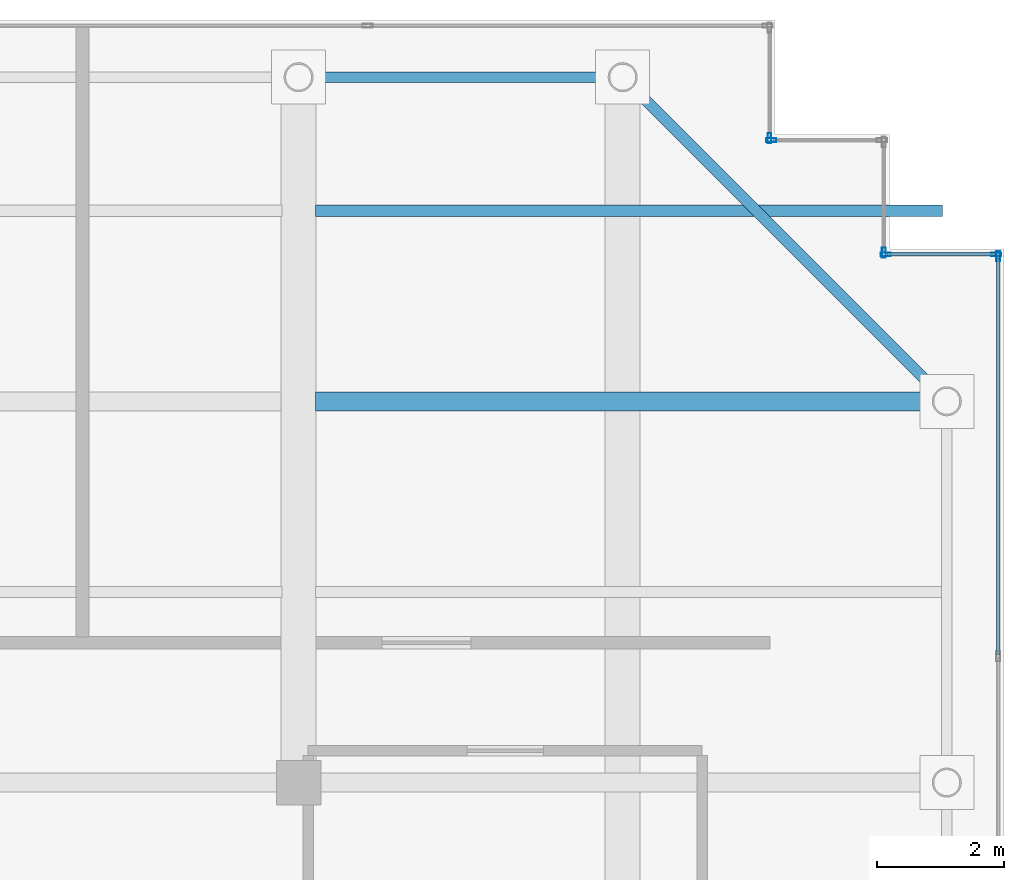
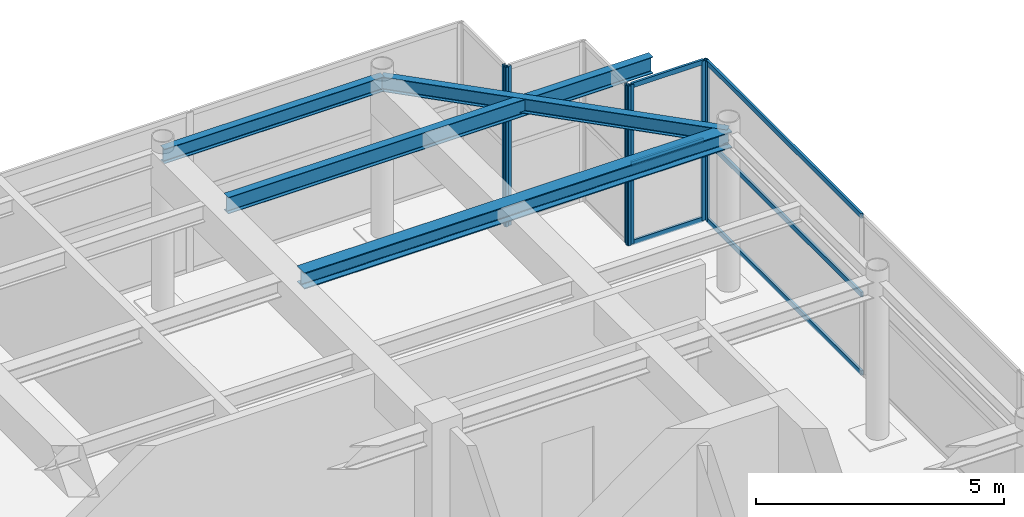
# One storey, part 26 of 32: 12 members, 4 beams, 5 elements without a shape of their own.
"""IFC4 building model written with IfcOpenShell, lengths in metres."""

from ifc_helpers import new_model, si_unit, direction, frame, origin, origin_2d, place, context, subcontext, project, spatial, hollow_rectangle, i_section, extrude, source, transform, mapped, material, layer, layer_set, material_profile, profile_set, type_object, element, aggregate, save


model = new_model("IFC4")

# Units and contexts
model_context = context("Model", 3, precision=1e-05, world=origin(), true_north=direction((0.0, 1.0)))
body_context = subcontext(model_context, "Body", "Model", "MODEL_VIEW")
ifc_project = project(units=[si_unit("LENGTHUNIT", "METRE"), si_unit("AREAUNIT", "SQUARE_METRE"), si_unit("VOLUMEUNIT", "CUBIC_METRE"), si_unit("PLANEANGLEUNIT", "RADIAN"), si_unit("MASSUNIT", "GRAM", prefix="KILO")], contexts=[model_context])

# Site, building, storey
site_placement = place(None, origin())
site = spatial("IfcSite", under=ifc_project, at=site_placement, CompositionType="ELEMENT")
building_placement = place(site_placement, origin())
building = spatial("IfcBuilding", under=site, at=building_placement, Name="Khoralis Quay Care Tower", CompositionType="ELEMENT")
storey_placement = place(building_placement, frame((0.0, 0.0, 293.699951171875)))
storey = spatial("IfcBuildingStorey", under=building, at=storey_placement, Name="L77", CompositionType="ELEMENT", Elevation=293.699951171875)

# Beams
ifc_material_1 = material(Name="Steel S355", Category="steel")
ifc_material_profile_1 = material_profile(ifc_material_1, i_section(OverallWidth=0.169921875, OverallDepth=0.360107421875, WebThickness=0.008056640625, FlangeThickness=0.0126953125, FilletRadius=0.01806640625, at=origin_2d()), Name="Steel S355")
ifc_profile_set_1 = profile_set([ifc_material_profile_1], Name="Steel S355")
beam_type_1 = type_object("IfcBeamType", Name="BM-IPE360", PredefinedType="SPANDREL", material=ifc_profile_set_1)
shared_shape_1 = source(origin(), body_context, "Body", "SweptSolid", [
    extrude(i_section(OverallWidth=0.169921875, OverallDepth=0.360107421875, WebThickness=0.008056640625, FlangeThickness=0.0126953125, FilletRadius=0.01806640625, at=origin_2d()), origin(), (0.0, 0.0, 1.0), 5.10009765625),
])
beam_1_placement = place(storey_placement, frame((30.89990234375, 41.10009765625, 3.739990234375), z_axis=(1.0, 0.0, 0.0), x_axis=(0.0, 1.0, 0.0)))
element("IfcBeam", 1, at=beam_1_placement, inside=storey, type_object=beam_type_1, Name="BM-TSP-L77-08", PredefinedType="SPANDREL", context=body_context, shape_type="MappedRepresentation", body=[
    mapped(shared_shape_1, transform((0.0, 0.0, 0.0), scale=1.0)),
])
shared_shape_2 = source(origin(), body_context, "Body", "SweptSolid", [
    extrude(i_section(OverallWidth=0.169921875, OverallDepth=0.360107421875, WebThickness=0.008056640625, FlangeThickness=0.0126953125, FilletRadius=0.01806640625, at=origin_2d()), origin(), (0.0, 0.0, 1.0), 7.212646484375),
])
beam_2_placement = place(storey_placement, frame((36.0, 41.10009765625, 3.739990234375), z_axis=(0.707106781187, -0.707106781187, 0.0), x_axis=(0.707106781187, 0.707106781187, 0.0)))
element("IfcBeam", 2, at=beam_2_placement, inside=storey, type_object=beam_type_1, Name="BM-TCR-L77-20", PredefinedType="SPANDREL", context=body_context, shape_type="MappedRepresentation", body=[
    mapped(shared_shape_2, transform((0.0, 0.0, 0.0), scale=1.0)),
])
ifc_material_profile_2 = material_profile(ifc_material_1, i_section(OverallWidth=0.300048828125, OverallDepth=0.39990234375, WebThickness=0.013427734375, FlangeThickness=0.02392578125, FilletRadius=0.027099609375, at=origin_2d()), Name="Steel S355")
ifc_profile_set_2 = profile_set([ifc_material_profile_2], Name="Steel S355")
beam_type_2 = type_object("IfcBeamType", Name="BM-HEB400", PredefinedType="BEAM", material=ifc_profile_set_2)
shared_shape_3 = source(origin(), body_context, "Body", "SweptSolid", [
    extrude(i_section(OverallWidth=0.300048828125, OverallDepth=0.39990234375, WebThickness=0.013427734375, FlangeThickness=0.02392578125, FilletRadius=0.027099609375, at=origin_2d()), origin(), (0.0, 0.0, 1.0), 9.93701171875),
])
beam_3_placement = place(storey_placement, frame((31.1630859375, 36.0, 3.719970703125), z_axis=(1.0, 0.0, 0.0), x_axis=(0.0, 1.0, 0.0)))
element("IfcBeam", 3, at=beam_3_placement, inside=storey, type_object=beam_type_2, Name="BM-TGXE-L77-360", PredefinedType="BEAM", context=body_context, shape_type="MappedRepresentation", body=[
    mapped(shared_shape_3, transform((0.0, 0.0, 0.0), scale=1.0)),
])
ifc_material_profile_3 = material_profile(ifc_material_1, i_section(OverallWidth=0.177978515625, OverallDepth=0.406982421875, WebThickness=0.0078125, FlangeThickness=0.0126953125, FilletRadius=0.012939453125, at=origin_2d()), Name="Steel S355")
ifc_profile_set_3 = profile_set([ifc_material_profile_3], Name="Steel S355")
beam_type_3 = type_object("IfcBeamType", Name="BM-W410X60", PredefinedType="JOIST", material=ifc_profile_set_3)
shared_shape_4 = source(origin(), body_context, "Body", "SweptSolid", [
    extrude(i_section(OverallWidth=0.177978515625, OverallDepth=0.406982421875, WebThickness=0.0078125, FlangeThickness=0.0126953125, FilletRadius=0.012939453125, at=origin_2d()), origin(), (0.0, 0.0, 1.0), 9.865966796875),
])
beam_4_placement = place(storey_placement, frame((31.1630859375, 39.0, 3.716552734375), z_axis=(1.0, 0.0, 0.0), x_axis=(0.0, 1.0, 0.0)))
element("IfcBeam", 4, at=beam_4_placement, inside=storey, type_object=beam_type_3, Name="BM-TJS-L77-28", PredefinedType="JOIST", context=body_context, shape_type="MappedRepresentation", body=[
    mapped(shared_shape_4, transform((0.0, 0.0, 0.0), scale=1.0)),
])

# Curtain wall, member
ifc_material_2 = material(Name="Pale anodised aluminium", Category="aluminium")
ifc_layer = layer(ifc_material_2, 0.199951171875)
ifc_layer_set = layer_set([ifc_layer], Name="Pale anodised aluminium")
curtain_wall_type = type_object("IfcCurtainWallType", Name="CW-SYS-LANTERN", PredefinedType="NOTDEFINED", material=ifc_layer_set)
curtain_wall_1_placement = place(storey_placement, origin())
curtain_wall_1 = element("IfcCurtainWall", 5, at=curtain_wall_1_placement, inside=storey, type_object=curtain_wall_type, Name="L77 Unitised Curtain Wall CW-LN-L77-06", PredefinedType="NOTDEFINED")
ifc_material_profile_4 = material_profile(ifc_material_2, hollow_rectangle(XDim=0.06005859375, YDim=0.159912109375, WallThickness=0.00390625, at=origin_2d()), Name="Pale anodised aluminium")
ifc_profile_set_4 = profile_set([ifc_material_profile_4], Name="Pale anodised aluminium")
member_type_1 = type_object("IfcMemberType", Name="CW-MUL-160", PredefinedType="MULLION", material=ifc_profile_set_4)
shared_shape_5 = source(origin(), body_context, "Body", "SweptSolid", [
    extrude(hollow_rectangle(XDim=0.06005859375, YDim=0.159912109375, WallThickness=0.00390625, at=origin_2d()), origin(), (0.0, 0.0, 1.0), 3.920166015625),
])
member_1_placement = place(storey_placement, frame((41.909912109375, 38.280029296875, 0.0), z_axis=(0.0, 0.0, 1.0), x_axis=(-1.0, 0.0, 0.0)))
member_1 = element("IfcMember", 6, at=member_1_placement, type_object=member_type_1, Name="CW5 mullion 6", PredefinedType="MULLION", context=body_context, shape_type="MappedRepresentation", body=[
    mapped(shared_shape_5, transform((0.0, 0.0, 0.0), scale=1.0)),
])

# Curtain wall, members
curtain_wall_2_placement = place(storey_placement, origin())
curtain_wall_2 = element("IfcCurtainWall", 7, at=curtain_wall_2_placement, inside=storey, type_object=curtain_wall_type, Name="L77 Unitised Curtain Wall CW-LN-L77-07", PredefinedType="NOTDEFINED")
member_2_placement = place(storey_placement, frame((41.8798828125, 38.31005859375, 0.0), z_axis=(0.0, 0.0, 1.0), x_axis=(0.0, -1.0, 0.0)))
member_2 = element("IfcMember", 8, at=member_2_placement, type_object=member_type_1, Name="CW5 mullion 1", PredefinedType="MULLION", context=body_context, shape_type="MappedRepresentation", body=[
    mapped(shared_shape_5, transform((0.0, 0.0, 0.0), scale=1.0)),
])
member_3_placement = place(storey_placement, frame((40.139892578125, 38.31005859375, 0.0), z_axis=(0.0, 0.0, 1.0), x_axis=(0.0, -1.0, 0.0)))
member_3 = element("IfcMember", 9, at=member_3_placement, type_object=member_type_1, Name="CW5 mullion 2", PredefinedType="MULLION", context=body_context, shape_type="MappedRepresentation", body=[
    mapped(shared_shape_5, transform((0.0, 0.0, 0.0), scale=1.0)),
])

# Curtain wall, member
curtain_wall_3_placement = place(storey_placement, origin())
curtain_wall_3 = element("IfcCurtainWall", 10, at=curtain_wall_3_placement, inside=storey, type_object=curtain_wall_type, Name="L77 Unitised Curtain Wall CW-LN-L77-08", PredefinedType="NOTDEFINED")
member_4_placement = place(storey_placement, frame((40.110107421875, 38.340087890625, 0.0), z_axis=(0.0, 0.0, 1.0), x_axis=(-1.0, 0.0, 0.0)))
member_4 = element("IfcMember", 11, at=member_4_placement, type_object=member_type_1, Name="CW5 mullion 1", PredefinedType="MULLION", context=body_context, shape_type="MappedRepresentation", body=[
    mapped(shared_shape_5, transform((0.0, 0.0, 0.0), scale=1.0)),
])
aggregate(curtain_wall_3, [member_4])

curtain_wall_4_placement = place(storey_placement, origin())
curtain_wall_4 = element("IfcCurtainWall", 12, at=curtain_wall_4_placement, inside=storey, type_object=curtain_wall_type, Name="L77 Unitised Curtain Wall CW-LN-L77-09", PredefinedType="NOTDEFINED")
member_5_placement = place(storey_placement, frame((38.340087890625, 40.110107421875, 0.0), z_axis=(0.0, 0.0, 1.0), x_axis=(0.0, -1.0, 0.0)))
member_5 = element("IfcMember", 13, at=member_5_placement, type_object=member_type_1, Name="CW5 mullion 2", PredefinedType="MULLION", context=body_context, shape_type="MappedRepresentation", body=[
    mapped(shared_shape_5, transform((0.0, 0.0, 0.0), scale=1.0)),
])
aggregate(curtain_wall_4, [member_5])

curtain_wall_5_placement = place(storey_placement, origin())
curtain_wall_5 = element("IfcCurtainWall", 14, at=curtain_wall_5_placement, inside=storey, type_object=curtain_wall_type, Name="L77 Unitised Curtain Wall CW-LN-L77-10", PredefinedType="NOTDEFINED")
member_6_placement = place(storey_placement, frame((38.31005859375, 40.139892578125, 0.0), z_axis=(0.0, 0.0, 1.0), x_axis=(-1.0, 0.0, 0.0)))
member_6 = element("IfcMember", 15, at=member_6_placement, type_object=member_type_1, Name="CW5 mullion 1", PredefinedType="MULLION", context=body_context, shape_type="MappedRepresentation", body=[
    mapped(shared_shape_5, transform((0.0, 0.0, 0.0), scale=1.0)),
])
aggregate(curtain_wall_5, [member_6])

# Member
ifc_material_profile_5 = material_profile(ifc_material_2, hollow_rectangle(XDim=0.054931640625, YDim=0.1201171875, WallThickness=0.00390625, at=origin_2d()), Name="Pale anodised aluminium")
ifc_profile_set_5 = profile_set([ifc_material_profile_5], Name="Pale anodised aluminium")
member_type_2 = type_object("IfcMemberType", Name="CW-TRN-120", PredefinedType="USERDEFINED", material=ifc_profile_set_5)
shared_shape_6 = source(origin(), body_context, "Body", "SweptSolid", [
    extrude(hollow_rectangle(XDim=0.054931640625, YDim=0.1201171875, WallThickness=0.00390625, at=origin_2d()), origin(), (0.0, 0.0, 1.0), 6.23388671875),
])
member_7_placement = place(storey_placement, frame((41.909912109375, 32.01611328125, 0.030029296875), z_axis=(0.0, 1.0, 0.0), x_axis=(-1.0, 0.0, 0.0)))
member_7 = element("IfcMember", 16, at=member_7_placement, type_object=member_type_2, Name="CW5 transom 5.1", ObjectType="TRANSOM", PredefinedType="USERDEFINED", context=body_context, shape_type="MappedRepresentation", body=[
    mapped(shared_shape_6, transform((0.0, 0.0, 0.0), scale=1.0)),
])

member_8_placement = place(storey_placement, frame((41.909912109375, 32.01611328125, 1.9599609375), z_axis=(0.0, 1.0, 0.0), x_axis=(-1.0, 0.0, 0.0)))
member_8 = element("IfcMember", 17, at=member_8_placement, type_object=member_type_2, Name="CW5 transom 5.2", ObjectType="TRANSOM", PredefinedType="USERDEFINED", context=body_context, shape_type="MappedRepresentation", body=[
    mapped(shared_shape_6, transform((0.0, 0.0, 0.0), scale=1.0)),
])

member_9_placement = place(storey_placement, frame((41.909912109375, 32.01611328125, 3.89013671875), z_axis=(0.0, 1.0, 0.0), x_axis=(-1.0, 0.0, 0.0)))
member_9 = element("IfcMember", 18, at=member_9_placement, type_object=member_type_2, Name="CW5 transom 5.3", ObjectType="TRANSOM", PredefinedType="USERDEFINED", context=body_context, shape_type="MappedRepresentation", body=[
    mapped(shared_shape_6, transform((0.0, 0.0, 0.0), scale=1.0)),
])

aggregate(curtain_wall_1, [member_1, member_7, member_8, member_9])

shared_shape_7 = source(origin(), body_context, "Body", "SweptSolid", [
    extrude(hollow_rectangle(XDim=0.054931640625, YDim=0.1201171875, WallThickness=0.00390625, at=origin_2d()), origin(), (0.0, 0.0, 1.0), 1.68017578125),
])
member_10_placement = place(storey_placement, frame((41.85009765625, 38.31005859375, 0.030029296875), z_axis=(-1.0, 0.0, 0.0), x_axis=(0.0, -1.0, 0.0)))
member_10 = element("IfcMember", 19, at=member_10_placement, type_object=member_type_2, Name="CW5 transom 1.1", ObjectType="TRANSOM", PredefinedType="USERDEFINED", context=body_context, shape_type="MappedRepresentation", body=[
    mapped(shared_shape_7, transform((0.0, 0.0, 0.0), scale=1.0)),
])

member_11_placement = place(storey_placement, frame((41.85009765625, 38.31005859375, 1.9599609375), z_axis=(-1.0, 0.0, 0.0), x_axis=(0.0, -1.0, 0.0)))
member_11 = element("IfcMember", 20, at=member_11_placement, type_object=member_type_2, Name="CW5 transom 1.2", ObjectType="TRANSOM", PredefinedType="USERDEFINED", context=body_context, shape_type="MappedRepresentation", body=[
    mapped(shared_shape_7, transform((0.0, 0.0, 0.0), scale=1.0)),
])

member_12_placement = place(storey_placement, frame((41.85009765625, 38.31005859375, 3.89013671875), z_axis=(-1.0, 0.0, 0.0), x_axis=(0.0, -1.0, 0.0)))
member_12 = element("IfcMember", 21, at=member_12_placement, type_object=member_type_2, Name="CW5 transom 1.3", ObjectType="TRANSOM", PredefinedType="USERDEFINED", context=body_context, shape_type="MappedRepresentation", body=[
    mapped(shared_shape_7, transform((0.0, 0.0, 0.0), scale=1.0)),
])

aggregate(curtain_wall_2, [member_2, member_3, member_10, member_11, member_12])

save(model, "model.ifc")
